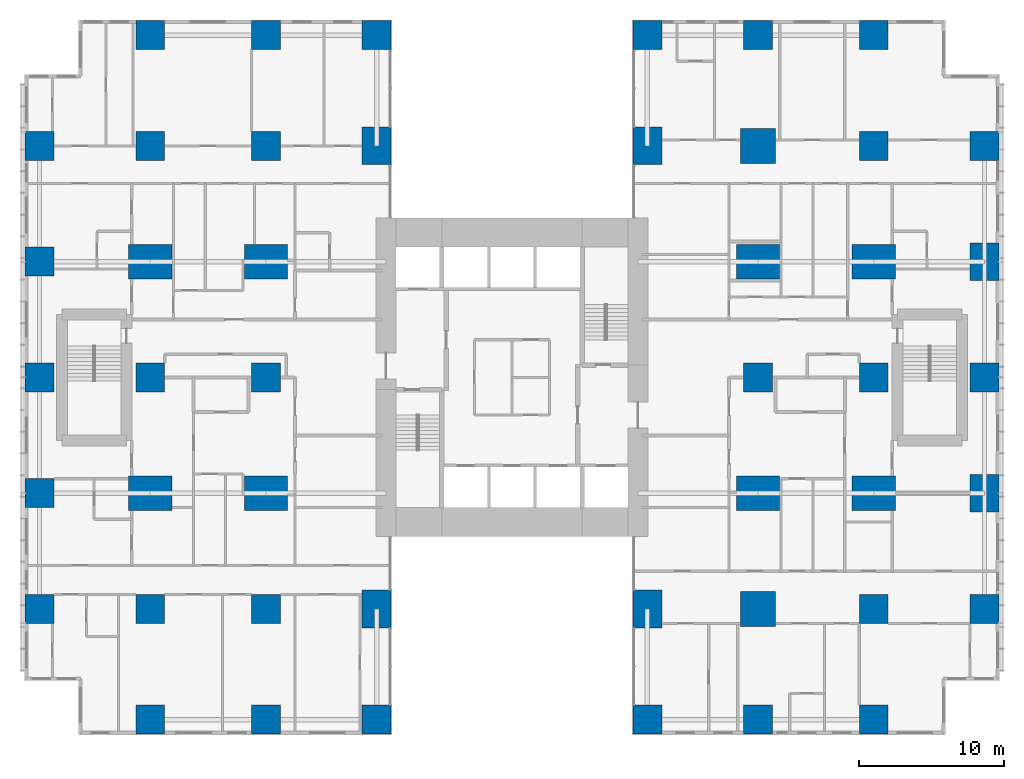
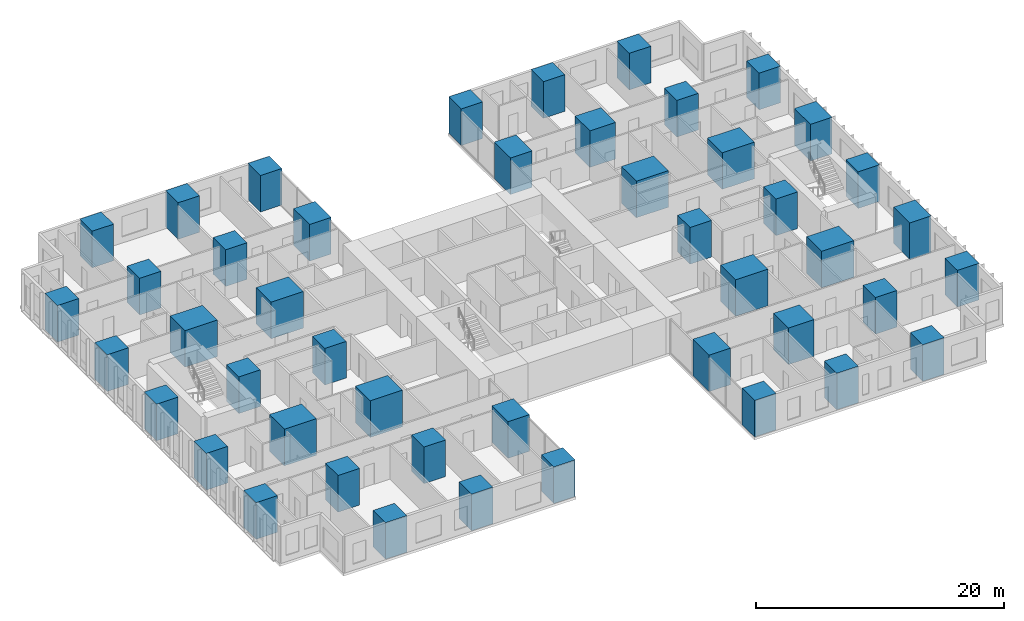
# One storey, part 1 of 20: 46 columns.
"""IFC4 building model written with IfcOpenShell, lengths in metres."""

from ifc_helpers import new_model, si_unit, direction, frame, origin, origin_2d, place, context, subcontext, project, spatial, rectangle, extrude, material, material_profile, profile_set, type_object, element, save


model = new_model("IFC4")

# Units and contexts
model_context = context("Model", 3, precision=1e-05, world=origin(), true_north=direction((0.0, 1.0)))
body_context = subcontext(model_context, "Body", "Model", "MODEL_VIEW")
ifc_project = project(units=[si_unit("LENGTHUNIT", "METRE"), si_unit("AREAUNIT", "SQUARE_METRE"), si_unit("VOLUMEUNIT", "CUBIC_METRE"), si_unit("PLANEANGLEUNIT", "RADIAN"), si_unit("MASSUNIT", "GRAM", prefix="KILO")], contexts=[model_context])

# Site, building, storey
site_placement = place(None, origin())
site = spatial("IfcSite", under=ifc_project, at=site_placement, CompositionType="ELEMENT")
building_placement = place(site_placement, origin())
building = spatial("IfcBuilding", under=site, at=building_placement, Name="Cleftline Residences", CompositionType="ELEMENT")
storey_placement = place(building_placement, frame((0.0, 0.0, 72.800048828125)))
storey = spatial("IfcBuildingStorey", under=building, at=storey_placement, Name="L18", CompositionType="ELEMENT", Elevation=72.800048828125)

# Columns
ifc_material_1 = material(Name="Concrete B70", Category="concrete")
ifc_material_profile_1 = material_profile(ifc_material_1, rectangle(XDim=2.0, YDim=2.0, at=origin_2d()))
ifc_profile_set_1 = profile_set([ifc_material_profile_1], Name="Concrete B70")
column_type_1 = type_object("IfcColumnType", Name="COLUMN RC2000X2000", PredefinedType="COLUMN", material=ifc_profile_set_1)
for number, where, z_axis, x_axis, name in (
    (1, (0.35009765625, 8.0, 0.0), (0.0, 0.0, 1.0), (1.0, 0.0, 0.0), "Column D/3"),
    (2, (0.35009765625, 16.0, 0.0), (0.0, 0.0, 1.0), (1.0, 0.0, 0.0), "Column E/3"),
    (3, (0.35009765625, 24.0, 0.0), (0.0, 0.0, 1.0), (1.0, 0.0, 0.0), "Column F/3"),
    (4, (0.35009765625, 32.0, 0.0), (0.0, 0.0, 1.0), (1.0, 0.0, 0.0), "Column G/3"),
    (5, (0.35009765625, 40.0, 0.0), (0.0, 0.0, 1.0), (1.0, 0.0, 0.0), "Column H/3"),
    (6, (8.0, 0.35009765625, 0.0), (0.0, 0.0, 1.0), (1.0, 0.0, 0.0), "Column C/4"),
    (7, (8.0, 8.0, 0.0), (0.0, 0.0, 1.0), (1.0, 0.0, 0.0), "Column D/4"),
    (8, (8.0, 24.0, 0.0), (0.0, 0.0, 1.0), (1.0, 0.0, 0.0), "Column F/4"),
    (9, (8.0, 40.0, 0.0), (0.0, 0.0, 1.0), (1.0, 0.0, 0.0), "Column H/4"),
    (10, (8.0, 47.64990234375, 0.0), (0.0, 0.0, 1.0), (1.0, 0.0, 0.0), "Column J/4"),
    (11, (16.0, 0.35009765625, 0.0), (0.0, 0.0, 1.0), (1.0, 0.0, 0.0), "Column C/5"),
    (12, (16.0, 8.0, 0.0), (0.0, 0.0, 1.0), (1.0, 0.0, 0.0), "Column D/5"),
    (13, (16.0, 24.0, 0.0), (0.0, 0.0, 1.0), (1.0, 0.0, 0.0), "Column F/5"),
    (14, (16.0, 40.0, 0.0), (0.0, 0.0, 1.0), (1.0, 0.0, 0.0), "Column H/5"),
    (15, (16.0, 47.64990234375, 0.0), (0.0, 0.0, 1.0), (1.0, 0.0, 0.0), "Column J/5"),
    (16, (23.64990234375, 0.35009765625, 0.0), (0.0, 0.0, 1.0), (1.0, 0.0, 0.0), "Column C/6"),
    (17, (23.64990234375, 47.64990234375, 0.0), (0.0, 0.0, 1.0), (1.0, 0.0, 0.0), "Column J/6"),
    (18, (42.35009765625, 0.35009765625, 0.0), (0.0, 0.0, 1.0), (1.0, 0.0, 0.0), "Column C/8"),
    (19, (42.35009765625, 47.64990234375, 0.0), (0.0, 0.0, 1.0), (1.0, 0.0, 0.0), "Column J/8"),
    (20, (50.0, 0.35009765625, 0.0), (0.0, 0.0, 1.0), (1.0, 0.0, 0.0), "Column C/9"),
    (21, (50.0, 24.0, 0.0), (0.0, 0.0, 1.0), (1.0, 0.0, 0.0), "Column F/9"),
    (22, (50.0, 47.64990234375, 0.0), (0.0, 0.0, 1.0), (1.0, 0.0, 0.0), "Column J/9"),
    (23, (58.0, 0.35009765625, 0.0), (0.0, 0.0, 1.0), (1.0, 0.0, 0.0), "Column C/10"),
    (24, (58.0, 8.0, 0.0), (0.0, 0.0, 1.0), (1.0, 0.0, 0.0), "Column D/10"),
    (25, (58.0, 24.0, 0.0), (0.0, 0.0, 1.0), (1.0, 0.0, 0.0), "Column F/10"),
    (26, (58.0, 40.0, 0.0), (0.0, 0.0, 1.0), (1.0, 0.0, 0.0), "Column H/10"),
    (27, (58.0, 47.64990234375, 0.0), (0.0, 0.0, 1.0), (1.0, 0.0, 0.0), "Column J/10"),
    (28, (65.64990234375, 8.0, 0.0), (0.0, 0.0, 1.0), (1.0, 0.0, 0.0), "Column D/11"),
    (29, (65.64990234375, 24.0, 0.0), (0.0, 0.0, 1.0), (1.0, 0.0, 0.0), "Column F/11"),
    (30, (65.64990234375, 40.0, 0.0), (0.0, 0.0, 1.0), (1.0, 0.0, 0.0), "Column H/11"),
):
    element("IfcColumn", number, at=place(storey_placement, frame(where, z_axis=z_axis, x_axis=x_axis)), inside=storey, type_object=column_type_1, Name=name, PredefinedType="COLUMN", context=body_context, shape_type="SweptSolid", body=[
        extrude(rectangle(XDim=2.0, YDim=2.0, at=origin_2d()), origin(), (0.0, 0.0, 1.0), 3.599853515625),
    ])
ifc_material_2 = material(Name="Concrete B70", Category="concrete")
ifc_material_profile_2 = material_profile(ifc_material_2, rectangle(XDim=2.0, YDim=2.60009765625, at=origin_2d()))
ifc_profile_set_2 = profile_set([ifc_material_profile_2], Name="Concrete B70")
column_type_2 = type_object("IfcColumnType", Name="COLUMN RC2000X2600", PredefinedType="COLUMN", material=ifc_profile_set_2)
for number, where, z_axis, x_axis, name in (
    (31, (23.64990234375, 8.0, 0.0), (0.0, 0.0, 1.0), (1.0, 0.0, 0.0), "Column D/6"),
    (32, (23.64990234375, 40.0, 0.0), (0.0, 0.0, 1.0), (1.0, 0.0, 0.0), "Column H/6"),
    (33, (42.35009765625, 8.0, 0.0), (0.0, 0.0, 1.0), (1.0, 0.0, 0.0), "Column D/8"),
    (34, (42.35009765625, 40.0, 0.0), (0.0, 0.0, 1.0), (1.0, 0.0, 0.0), "Column H/8"),
):
    element("IfcColumn", number, at=place(storey_placement, frame(where, z_axis=z_axis, x_axis=x_axis)), inside=storey, type_object=column_type_2, Name=name, PredefinedType="COLUMN", context=body_context, shape_type="SweptSolid", body=[
        extrude(rectangle(XDim=2.0, YDim=2.60009765625, at=origin_2d()), origin(), (0.0, 0.0, 1.0), 3.599853515625),
    ])
ifc_material_3 = material(Name="Concrete B70", Category="concrete")
ifc_material_profile_3 = material_profile(ifc_material_3, rectangle(XDim=2.39990234375, YDim=2.39990234375, at=origin_2d()))
ifc_profile_set_3 = profile_set([ifc_material_profile_3], Name="Concrete B70")
column_type_3 = type_object("IfcColumnType", Name="COLUMN RC2400X2400", PredefinedType="COLUMN", material=ifc_profile_set_3)
for number, where, z_axis, x_axis, name in (
    (35, (50.0, 8.0, 0.0), (0.0, 0.0, 1.0), (1.0, 0.0, 0.0), "Column D/9"),
    (36, (50.0, 40.0, 0.0), (0.0, 0.0, 1.0), (1.0, 0.0, 0.0), "Column H/9"),
):
    element("IfcColumn", number, at=place(storey_placement, frame(where, z_axis=z_axis, x_axis=x_axis)), inside=storey, type_object=column_type_3, Name=name, PredefinedType="COLUMN", context=body_context, shape_type="SweptSolid", body=[
        extrude(rectangle(XDim=2.39990234375, YDim=2.39990234375, at=origin_2d()), origin(), (0.0, 0.0, 1.0), 3.599853515625),
    ])
ifc_material_4 = material(Name="Concrete B70", Category="concrete")
ifc_material_profile_4 = material_profile(ifc_material_4, rectangle(XDim=2.60009765625, YDim=2.0, at=origin_2d()))
ifc_profile_set_4 = profile_set([ifc_material_profile_4], Name="Concrete B70")
column_type_4 = type_object("IfcColumnType", Name="COLUMN RC2600X2000", PredefinedType="COLUMN", material=ifc_profile_set_4)
for number, where, z_axis, x_axis, name in (
    (37, (65.64990234375, 16.0, 0.0), (0.0, 0.0, 1.0), (0.0, 1.0, 0.0), "Column E/11"),
    (38, (65.64990234375, 32.0, 0.0), (0.0, 0.0, 1.0), (0.0, 1.0, 0.0), "Column G/11"),
):
    element("IfcColumn", number, at=place(storey_placement, frame(where, z_axis=z_axis, x_axis=x_axis)), inside=storey, type_object=column_type_4, Name=name, PredefinedType="COLUMN", context=body_context, shape_type="SweptSolid", body=[
        extrude(rectangle(XDim=2.60009765625, YDim=2.0, at=origin_2d()), origin(), (0.0, 0.0, 1.0), 3.599853515625),
    ])
ifc_material_5 = material(Name="Concrete B70", Category="concrete")
ifc_material_profile_5 = material_profile(ifc_material_5, rectangle(XDim=3.0, YDim=2.39990234375, at=origin_2d()))
ifc_profile_set_5 = profile_set([ifc_material_profile_5], Name="Concrete B70")
column_type_5 = type_object("IfcColumnType", Name="COLUMN RC3000X2400", PredefinedType="COLUMN", material=ifc_profile_set_5)
for number, where, z_axis, x_axis, name in (
    (39, (8.0, 16.0, 0.0), (0.0, 0.0, 1.0), (1.0, 0.0, 0.0), "Column E/4"),
    (40, (8.0, 32.0, 0.0), (0.0, 0.0, 1.0), (1.0, 0.0, 0.0), "Column G/4"),
    (41, (16.0, 16.0, 0.0), (0.0, 0.0, 1.0), (1.0, 0.0, 0.0), "Column E/5"),
    (42, (16.0, 32.0, 0.0), (0.0, 0.0, 1.0), (1.0, 0.0, 0.0), "Column G/5"),
    (43, (50.0, 16.0, 0.0), (0.0, 0.0, 1.0), (1.0, 0.0, 0.0), "Column E/9"),
    (44, (50.0, 32.0, 0.0), (0.0, 0.0, 1.0), (1.0, 0.0, 0.0), "Column G/9"),
    (45, (58.0, 16.0, 0.0), (0.0, 0.0, 1.0), (1.0, 0.0, 0.0), "Column E/10"),
    (46, (58.0, 32.0, 0.0), (0.0, 0.0, 1.0), (1.0, 0.0, 0.0), "Column G/10"),
):
    element("IfcColumn", number, at=place(storey_placement, frame(where, z_axis=z_axis, x_axis=x_axis)), inside=storey, type_object=column_type_5, Name=name, PredefinedType="COLUMN", context=body_context, shape_type="SweptSolid", body=[
        extrude(rectangle(XDim=3.0, YDim=2.39990234375, at=origin_2d()), origin(), (0.0, 0.0, 1.0), 3.599853515625),
    ])

save(model, "model.ifc")
